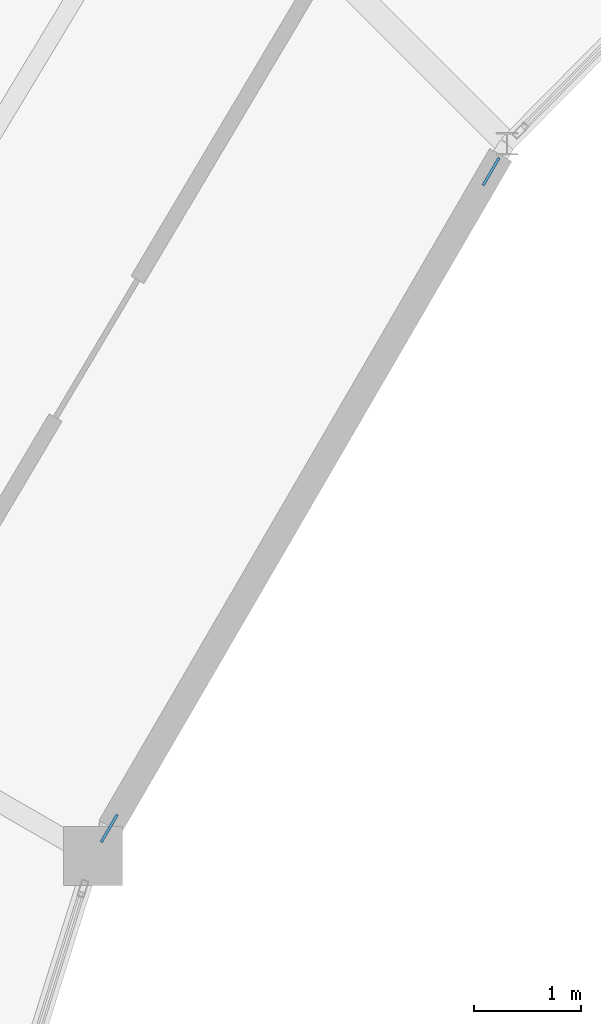
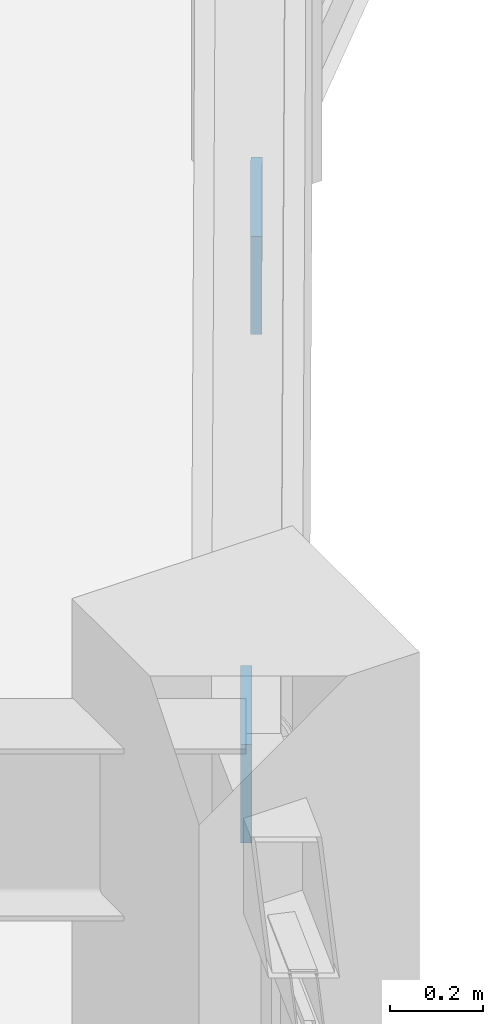
# One storey, part 112 of 134: 2 plates.
"""IFC4 building model written with IfcOpenShell, lengths in metres."""

from ifc_helpers import new_model, si_unit, direction, frame, origin, origin_2d, place, context, subcontext, project, spatial, rectangle, extrude, material, layer, layer_set, type_object, element, save


model = new_model("IFC4")

# Units and contexts
model_context = context("Model", 3, precision=1e-05, world=origin(), true_north=direction((0.0, 1.0)))
body_context = subcontext(model_context, "Body", "Model", "MODEL_VIEW")
ifc_project = project(units=[si_unit("LENGTHUNIT", "METRE"), si_unit("AREAUNIT", "SQUARE_METRE"), si_unit("VOLUMEUNIT", "CUBIC_METRE"), si_unit("PLANEANGLEUNIT", "RADIAN"), si_unit("MASSUNIT", "GRAM", prefix="KILO")], contexts=[model_context])

# Site, building, storey
site_placement = place(None, origin())
site = spatial("IfcSite", under=ifc_project, at=site_placement, CompositionType="ELEMENT")
building_placement = place(site_placement, origin())
building = spatial("IfcBuilding", under=site, at=building_placement, Name="Karori Crest Natural Sciences Institute", CompositionType="ELEMENT")
storey_placement = place(building_placement, frame((0.0, 0.0, 21.699951171875)))
storey = spatial("IfcBuildingStorey", under=building, at=storey_placement, Name="L05", CompositionType="ELEMENT", Elevation=21.699951171875)

# Plates
ifc_material = material(Name="Structural steel AS/NZS 3679.1 Grade 350", Category="steel")
ifc_layer = layer(ifc_material, 0.02490234375, Name="Structural steel AS/NZS 3679.1 Grade 350")
ifc_layer_set = layer_set([ifc_layer], Name="Structural steel AS/NZS 3679.1 Grade 350")
plate_type = type_object("IfcPlateType", Name="PLT-06", PredefinedType="SHEET", material=ifc_layer_set)
for number, where, z_axis, x_axis, name in (
    (1, (48.995849609375, 72.409423828125, -0.11962890625), (0.0, 0.0, 1.0), (0.502651840669, 0.86448893982, 0.0), "Brace gusset plate EP-0051"),
    (2, (45.419921875, 66.25927734375, 3.5205078125), (0.0, 0.0, 1.0), (0.502651840669, 0.86448893982, 0.0), "Brace gusset plate EP-0052"),
):
    element("IfcPlate", number, at=place(storey_placement, frame(where, z_axis=z_axis, x_axis=x_axis)), inside=storey, type_object=plate_type, Name=name, PredefinedType="SHEET", context=body_context, shape_type="SweptSolid", body=[
        extrude(rectangle(XDim=0.299072265625, YDim=0.02490234375, at=origin_2d()), origin(), (0.0, 0.0, 1.0), 0.259033203125),
    ])

save(model, "model.ifc")
